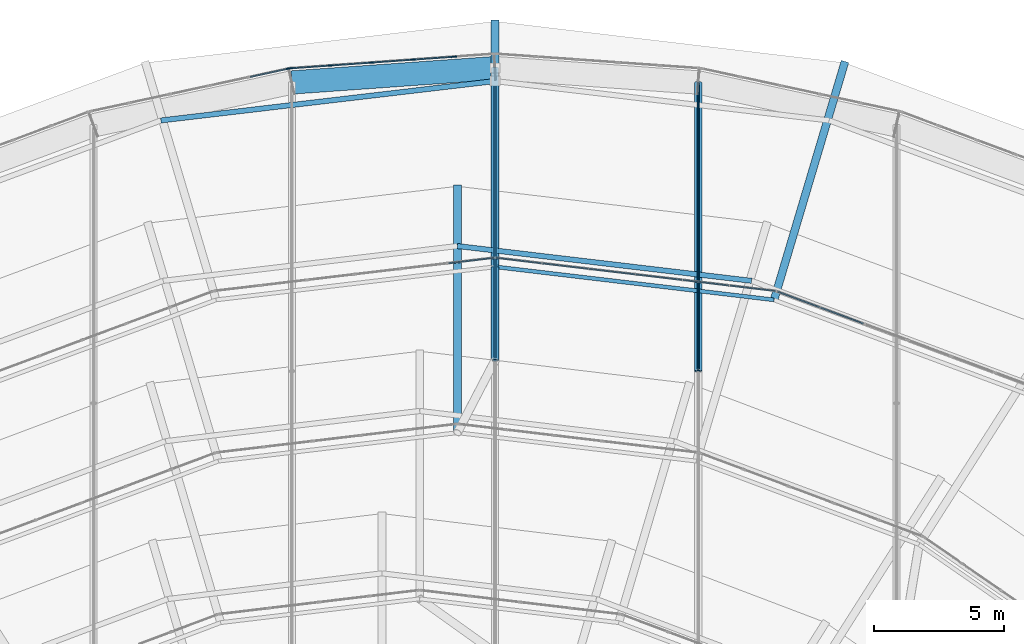
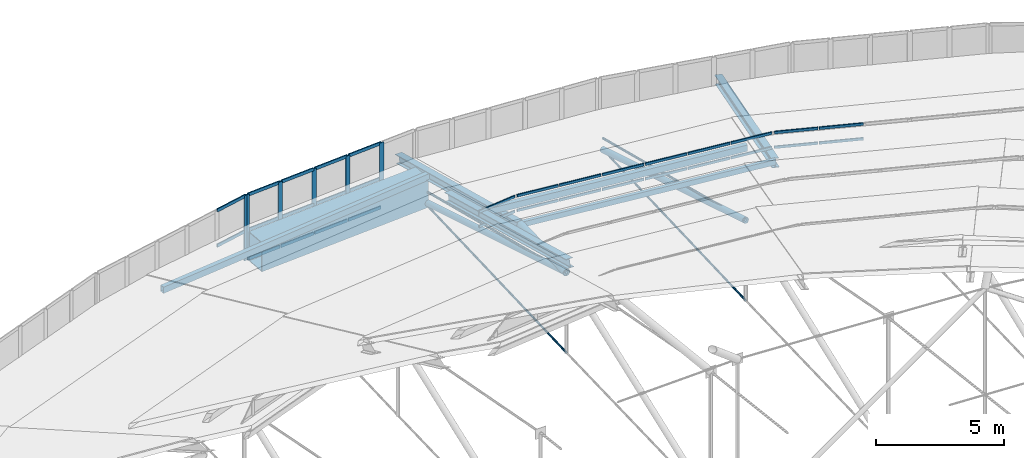
# One storey, part 115 of 173: 51 members, 1 beam, 5 elements without a shape of their own.
"""IFC4 building model written with IfcOpenShell, lengths in metres."""

from ifc_helpers import new_model, si_unit, direction, frame, origin, origin_2d, place, context, subcontext, project, spatial, rectangle, hollow_rectangle, circle, hollow_circle, i_section, extrude, material, material_profile, profile_set, type_object, element, aggregate, save


model = new_model("IFC4")

# Units and contexts
model_context = context("Model", 3, precision=1e-05, world=origin(), true_north=direction((0.0, 1.0)))
body_context = subcontext(model_context, "Body", "Model", "MODEL_VIEW")
ifc_project = project(units=[si_unit("LENGTHUNIT", "METRE"), si_unit("AREAUNIT", "SQUARE_METRE"), si_unit("VOLUMEUNIT", "CUBIC_METRE"), si_unit("PLANEANGLEUNIT", "RADIAN"), si_unit("MASSUNIT", "GRAM", prefix="KILO")], contexts=[model_context])

# Site, building, storey
site_placement = place(None, origin())
site = spatial("IfcSite", under=ifc_project, at=site_placement, CompositionType="ELEMENT")
building_placement = place(site_placement, origin())
building = spatial("IfcBuilding", under=site, at=building_placement, Name="Glasvene Arena", CompositionType="ELEMENT")
storey_placement = place(building_placement, frame((0.0, 0.0, 28.800048828125)))
storey = spatial("IfcBuildingStorey", under=building, at=storey_placement, Name="RF", CompositionType="ELEMENT", Elevation=28.800048828125)

# Beam
ifc_material_1 = material(Name="Steel S355J2", Category="steel")
ifc_material_profile_1 = material_profile(ifc_material_1, hollow_rectangle(XDim=0.89990234375, YDim=1.39990234375, WallThickness=0.034912109375, at=origin_2d()), Name="WBOX 900x1400x35")
ifc_profile_set_1 = profile_set([ifc_material_profile_1], Name="Steel S355J2")
beam_type = type_object("IfcBeamType", Name="BM-RING-BOX1400", PredefinedType="USERDEFINED", material=ifc_profile_set_1)
beam_placement = place(storey_placement, frame((92.0, 118.0, -0.699951171875), z_axis=(-0.997501506622, -0.070645200029, 0.0), x_axis=(0.070645200029, -0.997501506622, 0.0)))
element("IfcBeam", 1, at=beam_placement, inside=storey, type_object=beam_type, Name="Compression ring beam chord RB-11", ObjectType="RING BEAM", PredefinedType="USERDEFINED", context=body_context, shape_type="SweptSolid", body=[
    extrude(hollow_rectangle(XDim=0.89990234375, YDim=1.39990234375, WallThickness=0.034912109375, at=origin_2d()), origin(), (0.0, 0.0, 1.0), 7.84130859375),
])

# Curtain wall, members
ifc_material_2 = material(Name="Low-emissivity laminated double glazing", Category="glass")
curtain_wall_type_1 = type_object("IfcCurtainWallType", Name="CW-DRUM-793x310", PredefinedType="USERDEFINED", material=ifc_material_2)
curtain_wall_1_placement = place(storey_placement, frame((92.0, 118.550048828125, 0.0)))
curtain_wall_1 = element("IfcCurtainWall", 2, at=curtain_wall_1_placement, inside=storey, type_object=curtain_wall_type_1, Name="Crown compression-ring fascia curtain wall 11", ObjectType="CURTAIN WALL", PredefinedType="USERDEFINED")
ifc_material_3 = material(Name="Anodised architectural aluminium", Category="aluminium")
ifc_material_profile_2 = material_profile(ifc_material_3, rectangle(XDim=0.050048828125, YDim=0.199951171875, at=origin_2d()), Name="ALU MULLION 50x200")
ifc_profile_set_2 = profile_set([ifc_material_profile_2], Name="Anodised architectural aluminium")
member_type_1 = type_object("IfcMemberType", Name="CW-MUL-180", PredefinedType="MULLION", material=ifc_profile_set_2)
member_1_placement = place(storey_placement, frame((90.41845703125, 118.437744140625, -1.380126953125), z_axis=(0.0, 0.0, 1.0), x_axis=(0.07073966092, -0.997494812204, 0.0)))
member_1 = element("IfcMember", 3, at=member_1_placement, type_object=member_type_1, Name="CW-080 mullion 2", PredefinedType="MULLION", context=body_context, shape_type="SweptSolid", body=[
    extrude(rectangle(XDim=0.050048828125, YDim=0.199951171875, at=origin_2d()), origin(), (0.0, 0.0, 1.0), 3.10009765625),
])
member_2_placement = place(storey_placement, frame((88.8369140625, 118.32568359375, -1.380126953125), z_axis=(0.0, 0.0, 1.0), x_axis=(0.07073966092, -0.997494812204, 0.0)))
member_2 = element("IfcMember", 4, at=member_2_placement, type_object=member_type_1, Name="CW-080 mullion 3", PredefinedType="MULLION", context=body_context, shape_type="SweptSolid", body=[
    extrude(rectangle(XDim=0.050048828125, YDim=0.199951171875, at=origin_2d()), origin(), (0.0, 0.0, 1.0), 3.10009765625),
])
member_3_placement = place(storey_placement, frame((87.25537109375, 118.213623046875, -1.380126953125), z_axis=(0.0, 0.0, 1.0), x_axis=(0.07073966092, -0.997494812204, 0.0)))
member_3 = element("IfcMember", 5, at=member_3_placement, type_object=member_type_1, Name="CW-080 mullion 4", PredefinedType="MULLION", context=body_context, shape_type="SweptSolid", body=[
    extrude(rectangle(XDim=0.050048828125, YDim=0.199951171875, at=origin_2d()), origin(), (0.0, 0.0, 1.0), 3.10009765625),
])
member_4_placement = place(storey_placement, frame((85.673828125, 118.101318359375, -1.380126953125), z_axis=(0.0, 0.0, 1.0), x_axis=(0.07073966092, -0.997494812204, 0.0)))
member_4 = element("IfcMember", 6, at=member_4_placement, type_object=member_type_1, Name="CW-080 mullion 5", PredefinedType="MULLION", context=body_context, shape_type="SweptSolid", body=[
    extrude(rectangle(XDim=0.050048828125, YDim=0.199951171875, at=origin_2d()), origin(), (0.0, 0.0, 1.0), 3.10009765625),
])
member_5_placement = place(storey_placement, frame((84.1171875, 117.990966796875, -1.380126953125), z_axis=(0.0, 0.0, 1.0), x_axis=(0.07073966092, -0.997494812204, 0.0)))
member_5 = element("IfcMember", 7, at=member_5_placement, type_object=member_type_1, Name="CW-080 mullion 6", PredefinedType="MULLION", context=body_context, shape_type="SweptSolid", body=[
    extrude(rectangle(XDim=0.050048828125, YDim=0.199951171875, at=origin_2d()), origin(), (0.0, 0.0, 1.0), 3.10009765625),
])

# Curtain wall, member
curtain_wall_type_2 = type_object("IfcCurtainWallType", Name="CW-DRUM-789x310", PredefinedType="USERDEFINED", material=ifc_material_2)
curtain_wall_2_placement = place(storey_placement, frame((84.09228515625, 117.9892578125, 0.0)))
curtain_wall_2 = element("IfcCurtainWall", 8, at=curtain_wall_2_placement, inside=storey, type_object=curtain_wall_type_2, Name="Crown compression-ring fascia curtain wall 12", ObjectType="CURTAIN WALL", PredefinedType="USERDEFINED")
member_6_placement = place(storey_placement, frame((84.06787109375, 117.98388671875, -1.380126953125), z_axis=(0.0, 0.0, 1.0), x_axis=(0.211444690135, -0.977389964658, 0.0)))
member_6 = element("IfcMember", 9, at=member_6_placement, type_object=member_type_1, Name="CW-079 mullion 1", PredefinedType="MULLION", context=body_context, shape_type="SweptSolid", body=[
    extrude(rectangle(XDim=0.050048828125, YDim=0.199951171875, at=origin_2d()), origin(), (0.0, 0.0, 1.0), 3.10009765625),
])

# Curtain wall, members
curtain_wall_type_3 = type_object("IfcCurtainWallType", Name="CW-PET1-1077x75", PredefinedType="USERDEFINED", material=ifc_material_2)
curtain_wall_3_placement = place(storey_placement, frame((112.925048828125, 105.649169921875, 0.0)))
curtain_wall_3 = element("IfcCurtainWall", 10, at=curtain_wall_3_placement, inside=storey, type_object=curtain_wall_type_3, Name="Petal ring 1-2 clerestory curtain wall 05", ObjectType="CURTAIN WALL", PredefinedType="USERDEFINED")
ifc_material_profile_3 = material_profile(ifc_material_3, rectangle(XDim=0.050048828125, YDim=0.1201171875, at=origin_2d()), Name="ALU TRANSOM 50x120")
ifc_profile_set_3 = profile_set([ifc_material_profile_3], Name="Anodised architectural aluminium")
member_type_2 = type_object("IfcMemberType", Name="CW-TRN-120", PredefinedType="USERDEFINED", material=ifc_profile_set_3)
member_7_placement = place(storey_placement, frame((106.172607421875, 108.168701171875, 2.60498046875), z_axis=(-0.936868399673, 0.349682143802, 0.0), x_axis=(-0.349682143802, -0.936868399673, 0.0)))
member_7 = element("IfcMember", 11, at=member_7_placement, type_object=member_type_2, Name="CW-085 transom 5.1", ObjectType="TRANSOM", PredefinedType="USERDEFINED", context=body_context, shape_type="SweptSolid", body=[
    extrude(rectangle(XDim=0.050048828125, YDim=0.1201171875, at=origin_2d()), origin(), (0.0, 0.0, 1.0), 1.745361328125),
])
member_8_placement = place(storey_placement, frame((106.172607421875, 108.168701171875, 3.304931640625), z_axis=(-0.936868399673, 0.349682143802, 0.0), x_axis=(-0.349682143802, -0.936868399673, 0.0)))
member_8 = element("IfcMember", 12, at=member_8_placement, type_object=member_type_2, Name="CW-085 transom 5.2", ObjectType="TRANSOM", PredefinedType="USERDEFINED", context=body_context, shape_type="SweptSolid", body=[
    extrude(rectangle(XDim=0.050048828125, YDim=0.1201171875, at=origin_2d()), origin(), (0.0, 0.0, 1.0), 1.745361328125),
])
member_9_placement = place(storey_placement, frame((104.490478515625, 108.79638671875, 2.60498046875), z_axis=(-0.936893575356, 0.3496146857, 0.0), x_axis=(-0.3496146857, -0.936893575356, 0.0)))
member_9 = element("IfcMember", 13, at=member_9_placement, type_object=member_type_2, Name="CW-085 transom 6.1", ObjectType="TRANSOM", PredefinedType="USERDEFINED", context=body_context, shape_type="SweptSolid", body=[
    extrude(rectangle(XDim=0.050048828125, YDim=0.1201171875, at=origin_2d()), origin(), (0.0, 0.0, 1.0), 1.720703125),
])
member_10_placement = place(storey_placement, frame((104.490478515625, 108.79638671875, 3.304931640625), z_axis=(-0.936893575356, 0.3496146857, 0.0), x_axis=(-0.3496146857, -0.936893575356, 0.0)))
member_10 = element("IfcMember", 14, at=member_10_placement, type_object=member_type_2, Name="CW-085 transom 6.2", ObjectType="TRANSOM", PredefinedType="USERDEFINED", context=body_context, shape_type="SweptSolid", body=[
    extrude(rectangle(XDim=0.050048828125, YDim=0.1201171875, at=origin_2d()), origin(), (0.0, 0.0, 1.0), 1.720703125),
])
aggregate(curtain_wall_3, [member_7, member_8, member_9, member_10])

curtain_wall_type_4 = type_object("IfcCurtainWallType", Name="CW-PET1-1091x75", PredefinedType="USERDEFINED", material=ifc_material_2)
curtain_wall_4_placement = place(storey_placement, frame((102.83154296875, 109.415283203125, 0.0)))
curtain_wall_4 = element("IfcCurtainWall", 15, at=curtain_wall_4_placement, inside=storey, type_object=curtain_wall_type_4, Name="Petal ring 1-2 clerestory curtain wall 06", ObjectType="CURTAIN WALL", PredefinedType="USERDEFINED")
member_11_placement = place(storey_placement, frame((102.781982421875, 109.42138671875, 2.60498046875), z_axis=(-0.993052725692, 0.117670234107, 0.0), x_axis=(-0.117670234107, -0.993052725692, 0.0)))
member_11 = element("IfcMember", 16, at=member_11_placement, type_object=member_type_2, Name="CW-086 transom 1.1", ObjectType="TRANSOM", PredefinedType="USERDEFINED", context=body_context, shape_type="SweptSolid", body=[
    extrude(rectangle(XDim=0.050048828125, YDim=0.1201171875, at=origin_2d()), origin(), (0.0, 0.0, 1.0), 1.742919921875),
])
member_12_placement = place(storey_placement, frame((102.781982421875, 109.42138671875, 3.304931640625), z_axis=(-0.993052725692, 0.117670234107, 0.0), x_axis=(-0.117670234107, -0.993052725692, 0.0)))
member_12 = element("IfcMember", 17, at=member_12_placement, type_object=member_type_2, Name="CW-086 transom 1.2", ObjectType="TRANSOM", PredefinedType="USERDEFINED", context=body_context, shape_type="SweptSolid", body=[
    extrude(rectangle(XDim=0.050048828125, YDim=0.1201171875, at=origin_2d()), origin(), (0.0, 0.0, 1.0), 1.742919921875),
])
member_13_placement = place(storey_placement, frame((101.00146484375, 109.63232421875, 2.60498046875), z_axis=(-0.993037974268, 0.117794658886, 0.0), x_axis=(-0.117794658886, -0.993037974268, 0.0)))
member_13 = element("IfcMember", 18, at=member_13_placement, type_object=member_type_2, Name="CW-086 transom 2.1", ObjectType="TRANSOM", PredefinedType="USERDEFINED", context=body_context, shape_type="SweptSolid", body=[
    extrude(rectangle(XDim=0.050048828125, YDim=0.1201171875, at=origin_2d()), origin(), (0.0, 0.0, 1.0), 1.767822265625),
])
member_14_placement = place(storey_placement, frame((101.00146484375, 109.63232421875, 3.304931640625), z_axis=(-0.993037974268, 0.117794658886, 0.0), x_axis=(-0.117794658886, -0.993037974268, 0.0)))
member_14 = element("IfcMember", 19, at=member_14_placement, type_object=member_type_2, Name="CW-086 transom 2.2", ObjectType="TRANSOM", PredefinedType="USERDEFINED", context=body_context, shape_type="SweptSolid", body=[
    extrude(rectangle(XDim=0.050048828125, YDim=0.1201171875, at=origin_2d()), origin(), (0.0, 0.0, 1.0), 1.767822265625),
])
member_15_placement = place(storey_placement, frame((99.1962890625, 109.846435546875, 2.60498046875), z_axis=(-0.993037974268, 0.117794658886, 0.0), x_axis=(-0.117794658886, -0.993037974268, 0.0)))
member_15 = element("IfcMember", 20, at=member_15_placement, type_object=member_type_2, Name="CW-086 transom 3.1", ObjectType="TRANSOM", PredefinedType="USERDEFINED", context=body_context, shape_type="SweptSolid", body=[
    extrude(rectangle(XDim=0.050048828125, YDim=0.1201171875, at=origin_2d()), origin(), (0.0, 0.0, 1.0), 1.767822265625),
])
member_16_placement = place(storey_placement, frame((99.1962890625, 109.846435546875, 3.304931640625), z_axis=(-0.993037974268, 0.117794658886, 0.0), x_axis=(-0.117794658886, -0.993037974268, 0.0)))
member_16 = element("IfcMember", 21, at=member_16_placement, type_object=member_type_2, Name="CW-086 transom 3.2", ObjectType="TRANSOM", PredefinedType="USERDEFINED", context=body_context, shape_type="SweptSolid", body=[
    extrude(rectangle(XDim=0.050048828125, YDim=0.1201171875, at=origin_2d()), origin(), (0.0, 0.0, 1.0), 1.767822265625),
])
member_17_placement = place(storey_placement, frame((97.390869140625, 110.060546875, 2.60498046875), z_axis=(-0.993037974268, 0.117794658886, 0.0), x_axis=(-0.117794658886, -0.993037974268, 0.0)))
member_17 = element("IfcMember", 22, at=member_17_placement, type_object=member_type_2, Name="CW-086 transom 4.1", ObjectType="TRANSOM", PredefinedType="USERDEFINED", context=body_context, shape_type="SweptSolid", body=[
    extrude(rectangle(XDim=0.050048828125, YDim=0.1201171875, at=origin_2d()), origin(), (0.0, 0.0, 1.0), 1.767822265625),
])
member_18_placement = place(storey_placement, frame((97.390869140625, 110.060546875, 3.304931640625), z_axis=(-0.993037974268, 0.117794658886, 0.0), x_axis=(-0.117794658886, -0.993037974268, 0.0)))
member_18 = element("IfcMember", 23, at=member_18_placement, type_object=member_type_2, Name="CW-086 transom 4.2", ObjectType="TRANSOM", PredefinedType="USERDEFINED", context=body_context, shape_type="SweptSolid", body=[
    extrude(rectangle(XDim=0.050048828125, YDim=0.1201171875, at=origin_2d()), origin(), (0.0, 0.0, 1.0), 1.767822265625),
])
member_19_placement = place(storey_placement, frame((95.585693359375, 110.274658203125, 2.60498046875), z_axis=(-0.993037974268, 0.117794658886, 0.0), x_axis=(-0.117794658886, -0.993037974268, 0.0)))
member_19 = element("IfcMember", 24, at=member_19_placement, type_object=member_type_2, Name="CW-086 transom 5.1", ObjectType="TRANSOM", PredefinedType="USERDEFINED", context=body_context, shape_type="SweptSolid", body=[
    extrude(rectangle(XDim=0.050048828125, YDim=0.1201171875, at=origin_2d()), origin(), (0.0, 0.0, 1.0), 1.767822265625),
])
member_20_placement = place(storey_placement, frame((95.585693359375, 110.274658203125, 3.304931640625), z_axis=(-0.993037974268, 0.117794658886, 0.0), x_axis=(-0.117794658886, -0.993037974268, 0.0)))
member_20 = element("IfcMember", 25, at=member_20_placement, type_object=member_type_2, Name="CW-086 transom 5.2", ObjectType="TRANSOM", PredefinedType="USERDEFINED", context=body_context, shape_type="SweptSolid", body=[
    extrude(rectangle(XDim=0.050048828125, YDim=0.1201171875, at=origin_2d()), origin(), (0.0, 0.0, 1.0), 1.767822265625),
])
member_21_placement = place(storey_placement, frame((93.780517578125, 110.48876953125, 2.60498046875), z_axis=(-0.993038290956, 0.117791989096, 0.0), x_axis=(-0.117791989096, -0.993038290956, 0.0)))
member_21 = element("IfcMember", 26, at=member_21_placement, type_object=member_type_2, Name="CW-086 transom 6.1", ObjectType="TRANSOM", PredefinedType="USERDEFINED", context=body_context, shape_type="SweptSolid", body=[
    extrude(rectangle(XDim=0.050048828125, YDim=0.1201171875, at=origin_2d()), origin(), (0.0, 0.0, 1.0), 1.7431640625),
])
member_22_placement = place(storey_placement, frame((93.780517578125, 110.48876953125, 3.304931640625), z_axis=(-0.993038290956, 0.117791989096, 0.0), x_axis=(-0.117791989096, -0.993038290956, 0.0)))
member_22 = element("IfcMember", 27, at=member_22_placement, type_object=member_type_2, Name="CW-086 transom 6.2", ObjectType="TRANSOM", PredefinedType="USERDEFINED", context=body_context, shape_type="SweptSolid", body=[
    extrude(rectangle(XDim=0.050048828125, YDim=0.1201171875, at=origin_2d()), origin(), (0.0, 0.0, 1.0), 1.7431640625),
])
aggregate(curtain_wall_4, [member_11, member_12, member_13, member_14, member_15, member_16, member_17, member_18, member_19, member_20, member_21, member_22])

curtain_wall_5_placement = place(storey_placement, frame((92.0, 110.699951171875, 0.0)))
curtain_wall_5 = element("IfcCurtainWall", 28, at=curtain_wall_5_placement, inside=storey, type_object=curtain_wall_type_4, Name="Petal ring 1-2 clerestory curtain wall 07", ObjectType="CURTAIN WALL", PredefinedType="USERDEFINED")
member_23_placement = place(storey_placement, frame((91.950439453125, 110.694091796875, 2.60498046875), z_axis=(-0.993038290956, -0.117791989096, 0.0), x_axis=(0.117791989096, -0.993038290956, 0.0)))
member_23 = element("IfcMember", 29, at=member_23_placement, type_object=member_type_2, Name="CW-086 transom 1.1", ObjectType="TRANSOM", PredefinedType="USERDEFINED", context=body_context, shape_type="SweptSolid", body=[
    extrude(rectangle(XDim=0.050048828125, YDim=0.1201171875, at=origin_2d()), origin(), (0.0, 0.0, 1.0), 1.7431640625),
])
member_24_placement = place(storey_placement, frame((91.950439453125, 110.694091796875, 3.304931640625), z_axis=(-0.993038290956, -0.117791989096, 0.0), x_axis=(0.117791989096, -0.993038290956, 0.0)))
member_24 = element("IfcMember", 30, at=member_24_placement, type_object=member_type_2, Name="CW-086 transom 1.2", ObjectType="TRANSOM", PredefinedType="USERDEFINED", context=body_context, shape_type="SweptSolid", body=[
    extrude(rectangle(XDim=0.050048828125, YDim=0.1201171875, at=origin_2d()), origin(), (0.0, 0.0, 1.0), 1.7431640625),
])
aggregate(curtain_wall_5, [member_23, member_24])

# Member
ifc_material_profile_4 = material_profile(ifc_material_3, rectangle(XDim=0.050048828125, YDim=0.14990234375, at=origin_2d()), Name="ALU TRANSOM 50x150")
ifc_profile_set_4 = profile_set([ifc_material_profile_4], Name="Anodised architectural aluminium")
member_type_3 = type_object("IfcMemberType", Name="CW-TRN-150", PredefinedType="USERDEFINED", material=ifc_profile_set_4)
member_25_placement = place(storey_placement, frame((90.3935546875, 118.43603515625, -1.35498046875), z_axis=(-0.997494086071, -0.070749899315, 0.0), x_axis=(0.070749899315, -0.997494086071, 0.0)))
member_25 = element("IfcMember", 31, at=member_25_placement, type_object=member_type_3, Name="CW-080 transom 2.1", ObjectType="TRANSOM", PredefinedType="USERDEFINED", context=body_context, shape_type="SweptSolid", body=[
    extrude(rectangle(XDim=0.050048828125, YDim=0.14990234375, at=origin_2d()), origin(), (0.0, 0.0, 1.0), 1.53564453125),
])

member_26_placement = place(storey_placement, frame((90.3935546875, 118.43603515625, 0.02001953125), z_axis=(-0.997494086071, -0.070749899315, 0.0), x_axis=(0.070749899315, -0.997494086071, 0.0)))
member_26 = element("IfcMember", 32, at=member_26_placement, type_object=member_type_3, Name="CW-080 transom 2.2", ObjectType="TRANSOM", PredefinedType="USERDEFINED", context=body_context, shape_type="SweptSolid", body=[
    extrude(rectangle(XDim=0.050048828125, YDim=0.14990234375, at=origin_2d()), origin(), (0.0, 0.0, 1.0), 1.53564453125),
])

member_27_placement = place(storey_placement, frame((90.3935546875, 118.43603515625, 1.695068359375), z_axis=(-0.997494086071, -0.070749899315, 0.0), x_axis=(0.070749899315, -0.997494086071, 0.0)))
member_27 = element("IfcMember", 33, at=member_27_placement, type_object=member_type_3, Name="CW-080 transom 2.3", ObjectType="TRANSOM", PredefinedType="USERDEFINED", context=body_context, shape_type="SweptSolid", body=[
    extrude(rectangle(XDim=0.050048828125, YDim=0.14990234375, at=origin_2d()), origin(), (0.0, 0.0, 1.0), 1.53564453125),
])

member_28_placement = place(storey_placement, frame((88.81201171875, 118.323974609375, -1.35498046875), z_axis=(-0.997494086071, -0.070749899315, 0.0), x_axis=(0.070749899315, -0.997494086071, 0.0)))
member_28 = element("IfcMember", 34, at=member_28_placement, type_object=member_type_3, Name="CW-080 transom 3.1", ObjectType="TRANSOM", PredefinedType="USERDEFINED", context=body_context, shape_type="SweptSolid", body=[
    extrude(rectangle(XDim=0.050048828125, YDim=0.14990234375, at=origin_2d()), origin(), (0.0, 0.0, 1.0), 1.53564453125),
])

member_29_placement = place(storey_placement, frame((88.81201171875, 118.323974609375, 0.02001953125), z_axis=(-0.997494086071, -0.070749899315, 0.0), x_axis=(0.070749899315, -0.997494086071, 0.0)))
member_29 = element("IfcMember", 35, at=member_29_placement, type_object=member_type_3, Name="CW-080 transom 3.2", ObjectType="TRANSOM", PredefinedType="USERDEFINED", context=body_context, shape_type="SweptSolid", body=[
    extrude(rectangle(XDim=0.050048828125, YDim=0.14990234375, at=origin_2d()), origin(), (0.0, 0.0, 1.0), 1.53564453125),
])

member_30_placement = place(storey_placement, frame((88.81201171875, 118.323974609375, 1.695068359375), z_axis=(-0.997494086071, -0.070749899315, 0.0), x_axis=(0.070749899315, -0.997494086071, 0.0)))
member_30 = element("IfcMember", 36, at=member_30_placement, type_object=member_type_3, Name="CW-080 transom 3.3", ObjectType="TRANSOM", PredefinedType="USERDEFINED", context=body_context, shape_type="SweptSolid", body=[
    extrude(rectangle(XDim=0.050048828125, YDim=0.14990234375, at=origin_2d()), origin(), (0.0, 0.0, 1.0), 1.53564453125),
])

member_31_placement = place(storey_placement, frame((87.23046875, 118.211669921875, -1.35498046875), z_axis=(-0.997494086071, -0.070749899315, 0.0), x_axis=(0.070749899315, -0.997494086071, 0.0)))
member_31 = element("IfcMember", 37, at=member_31_placement, type_object=member_type_3, Name="CW-080 transom 4.1", ObjectType="TRANSOM", PredefinedType="USERDEFINED", context=body_context, shape_type="SweptSolid", body=[
    extrude(rectangle(XDim=0.050048828125, YDim=0.14990234375, at=origin_2d()), origin(), (0.0, 0.0, 1.0), 1.53564453125),
])

member_32_placement = place(storey_placement, frame((87.23046875, 118.211669921875, 0.02001953125), z_axis=(-0.997494086071, -0.070749899315, 0.0), x_axis=(0.070749899315, -0.997494086071, 0.0)))
member_32 = element("IfcMember", 38, at=member_32_placement, type_object=member_type_3, Name="CW-080 transom 4.2", ObjectType="TRANSOM", PredefinedType="USERDEFINED", context=body_context, shape_type="SweptSolid", body=[
    extrude(rectangle(XDim=0.050048828125, YDim=0.14990234375, at=origin_2d()), origin(), (0.0, 0.0, 1.0), 1.53564453125),
])

member_33_placement = place(storey_placement, frame((87.23046875, 118.211669921875, 1.695068359375), z_axis=(-0.997494086071, -0.070749899315, 0.0), x_axis=(0.070749899315, -0.997494086071, 0.0)))
member_33 = element("IfcMember", 39, at=member_33_placement, type_object=member_type_3, Name="CW-080 transom 4.3", ObjectType="TRANSOM", PredefinedType="USERDEFINED", context=body_context, shape_type="SweptSolid", body=[
    extrude(rectangle(XDim=0.050048828125, YDim=0.14990234375, at=origin_2d()), origin(), (0.0, 0.0, 1.0), 1.53564453125),
])

member_34_placement = place(storey_placement, frame((85.64892578125, 118.099609375, -1.35498046875), z_axis=(-0.997491409379, -0.070787627561, 0.0), x_axis=(0.070787627561, -0.997491409379, 0.0)))
member_34 = element("IfcMember", 40, at=member_34_placement, type_object=member_type_3, Name="CW-080 transom 5.1", ObjectType="TRANSOM", PredefinedType="USERDEFINED", context=body_context, shape_type="SweptSolid", body=[
    extrude(rectangle(XDim=0.050048828125, YDim=0.14990234375, at=origin_2d()), origin(), (0.0, 0.0, 1.0), 1.5107421875),
])

member_35_placement = place(storey_placement, frame((85.64892578125, 118.099609375, 0.02001953125), z_axis=(-0.997491409379, -0.070787627561, 0.0), x_axis=(0.070787627561, -0.997491409379, 0.0)))
member_35 = element("IfcMember", 41, at=member_35_placement, type_object=member_type_3, Name="CW-080 transom 5.2", ObjectType="TRANSOM", PredefinedType="USERDEFINED", context=body_context, shape_type="SweptSolid", body=[
    extrude(rectangle(XDim=0.050048828125, YDim=0.14990234375, at=origin_2d()), origin(), (0.0, 0.0, 1.0), 1.5107421875),
])

member_36_placement = place(storey_placement, frame((85.64892578125, 118.099609375, 1.695068359375), z_axis=(-0.997491409379, -0.070787627561, 0.0), x_axis=(0.070787627561, -0.997491409379, 0.0)))
member_36 = element("IfcMember", 42, at=member_36_placement, type_object=member_type_3, Name="CW-080 transom 5.3", ObjectType="TRANSOM", PredefinedType="USERDEFINED", context=body_context, shape_type="SweptSolid", body=[
    extrude(rectangle(XDim=0.050048828125, YDim=0.14990234375, at=origin_2d()), origin(), (0.0, 0.0, 1.0), 1.5107421875),
])

aggregate(curtain_wall_1, [member_1, member_2, member_3, member_4, member_5, member_25, member_26, member_27, member_28, member_29, member_30, member_31, member_32, member_33, member_34, member_35, member_36])

member_37_placement = place(storey_placement, frame((84.043212890625, 117.978515625, 0.02001953125), z_axis=(-0.977386956686, -0.211458593819, 0.0), x_axis=(0.211458593819, -0.977386956686, 0.0)))
member_37 = element("IfcMember", 43, at=member_37_placement, type_object=member_type_3, Name="CW-079 transom 1.2", ObjectType="TRANSOM", PredefinedType="USERDEFINED", context=body_context, shape_type="SweptSolid", body=[
    extrude(rectangle(XDim=0.050048828125, YDim=0.14990234375, at=origin_2d()), origin(), (0.0, 0.0, 1.0), 1.503173828125),
])

member_38_placement = place(storey_placement, frame((84.043212890625, 117.978515625, 1.695068359375), z_axis=(-0.977386956686, -0.211458593819, 0.0), x_axis=(0.211458593819, -0.977386956686, 0.0)))
member_38 = element("IfcMember", 44, at=member_38_placement, type_object=member_type_3, Name="CW-079 transom 1.3", ObjectType="TRANSOM", PredefinedType="USERDEFINED", context=body_context, shape_type="SweptSolid", body=[
    extrude(rectangle(XDim=0.050048828125, YDim=0.14990234375, at=origin_2d()), origin(), (0.0, 0.0, 1.0), 1.503173828125),
])

aggregate(curtain_wall_2, [member_6, member_37, member_38])

# Members
ifc_material_4 = material(Name="High-strength steel spiral strand S460", Category="steel")
ifc_material_profile_5 = material_profile(ifc_material_4, circle(Radius=0.052490234375, at=origin_2d()), Name="LCSS D105")
ifc_profile_set_5 = profile_set([ifc_material_profile_5], Name="High-strength steel spiral strand S460")
member_type_4 = type_object("IfcMemberType", Name="MB-CABLE-105", PredefinedType="USERDEFINED", material=ifc_profile_set_5)
member_39_placement = place(storey_placement, frame((99.82177734375, 106.33447265625, 2.06103515625), z_axis=(0.0, 0.9688326504, -0.247716159179), x_axis=(-1.0, 0.0, 0.0)))
element("IfcMember", 45, at=member_39_placement, inside=storey, type_object=member_type_4, Name="Upper lens roof cable NS04-08", ObjectType="ROOF CABLE", PredefinedType="USERDEFINED", context=body_context, shape_type="SweptSolid", body=[
    extrude(circle(Radius=0.052490234375, at=origin_2d()), origin(), (0.0, 0.0, 1.0), 11.468994140625),
])
member_40_placement = place(storey_placement, frame((92.0, 106.75, 2.06103515625), z_axis=(0.0, 0.969560492268, -0.244851897754), x_axis=(-1.0, 0.0, 0.0)))
element("IfcMember", 46, at=member_40_placement, inside=storey, type_object=member_type_4, Name="Upper lens roof cable NS05-08", ObjectType="ROOF CABLE", PredefinedType="USERDEFINED", context=body_context, shape_type="SweptSolid", body=[
    extrude(circle(Radius=0.052490234375, at=origin_2d()), origin(), (0.0, 0.0, 1.0), 11.603271484375),
])
ifc_material_profile_6 = material_profile(ifc_material_4, circle(Radius=0.044921875, at=origin_2d()), Name="LCSS D90")
ifc_profile_set_6 = profile_set([ifc_material_profile_6], Name="High-strength steel spiral strand S460")
member_type_5 = type_object("IfcMemberType", Name="MB-CABLE-90", PredefinedType="USERDEFINED", material=ifc_profile_set_6)
member_41_placement = place(storey_placement, frame((99.82177734375, 106.33447265625, -1.753173828125), z_axis=(0.0, 0.99924122713, 0.0389482991), x_axis=(-1.0, 0.0, 0.0)))
element("IfcMember", 47, at=member_41_placement, inside=storey, type_object=member_type_5, Name="Lower stabilization roof cable NS04-08", ObjectType="ROOF CABLE", PredefinedType="USERDEFINED", context=body_context, shape_type="SweptSolid", body=[
    extrude(circle(Radius=0.044921875, at=origin_2d()), origin(), (0.0, 0.0, 1.0), 11.1201171875),
])
member_42_placement = place(storey_placement, frame((92.0, 106.75, -1.753173828125), z_axis=(0.0, 0.999259764573, 0.03846976611), x_axis=(-1.0, 0.0, 0.0)))
element("IfcMember", 48, at=member_42_placement, inside=storey, type_object=member_type_5, Name="Lower stabilization roof cable NS05-08", ObjectType="ROOF CABLE", PredefinedType="USERDEFINED", context=body_context, shape_type="SweptSolid", body=[
    extrude(circle(Radius=0.044921875, at=origin_2d()), origin(), (0.0, 0.0, 1.0), 11.25830078125),
])
ifc_material_profile_7 = material_profile(ifc_material_1, i_section(OverallWidth=0.300048828125, OverallDepth=0.39990234375, WebThickness=0.013427734375, FlangeThickness=0.02392578125, FilletRadius=0.027099609375, at=origin_2d()), Name="HEB 400")
ifc_profile_set_7 = profile_set([ifc_material_profile_7], Name="Steel S355J2")
member_type_6 = type_object("IfcMemberType", Name="MB-CHORD-HEB400", PredefinedType="CHORD", material=ifc_profile_set_7)
member_43_placement = place(storey_placement, frame((105.45849609375, 118.205322265625, -0.400146484375), z_axis=(-0.275988649675, -0.927020360618, 0.253896664511), x_axis=(0.958426710374, -0.28533881762, 0.0)))
element("IfcMember", 49, at=member_43_placement, inside=storey, type_object=member_type_6, Name="Petal ring 1 radial rib 06", PredefinedType="CHORD", context=body_context, shape_type="SweptSolid", body=[
    extrude(i_section(OverallWidth=0.300048828125, OverallDepth=0.39990234375, WebThickness=0.013427734375, FlangeThickness=0.02392578125, FilletRadius=0.027099609375, at=origin_2d()), origin(), (0.0, 0.0, 1.0), 9.846435546875),
])
member_44_placement = place(storey_placement, frame((92.0, 119.800048828125, -0.400146484375), z_axis=(0.0, -0.96674210623, 0.255753201431), x_axis=(1.0, 0.0, 0.0)))
element("IfcMember", 50, at=member_44_placement, inside=storey, type_object=member_type_6, Name="Petal ring 1 radial rib 07", PredefinedType="CHORD", context=body_context, shape_type="SweptSolid", body=[
    extrude(i_section(OverallWidth=0.300048828125, OverallDepth=0.39990234375, WebThickness=0.013427734375, FlangeThickness=0.02392578125, FilletRadius=0.027099609375, at=origin_2d()), origin(), (0.0, 0.0, 1.0), 9.775146484375),
])
member_45_placement = place(storey_placement, frame((90.550048828125, 113.449951171875, 2.14990234375), z_axis=(0.0, -0.965710250787, 0.259622247747), x_axis=(1.0, 0.0, 0.0)))
element("IfcMember", 51, at=member_45_placement, inside=storey, type_object=member_type_6, Name="Petal ring 2 radial rib 07", PredefinedType="CHORD", context=body_context, shape_type="SweptSolid", body=[
    extrude(i_section(OverallWidth=0.300048828125, OverallDepth=0.39990234375, WebThickness=0.013427734375, FlangeThickness=0.02392578125, FilletRadius=0.027099609375, at=origin_2d()), origin(), (0.0, 0.0, 1.0), 9.822265625),
])
ifc_material_profile_8 = material_profile(ifc_material_1, hollow_circle(Radius=0.161865234375, WallThickness=0.01611328125, at=origin_2d()), Name="CHS 323.9x16.0")
ifc_profile_set_8 = profile_set([ifc_material_profile_8], Name="Steel S355J2")
member_type_7 = type_object("IfcMemberType", Name="MB-POST-CHS324", PredefinedType="BRACE", material=ifc_profile_set_8)
member_46_placement = place(storey_placement, frame((92.0, 106.75, 2.06103515625), z_axis=(0.0, 0.999437056126, 0.033549528196), x_axis=(-1.0, 0.0, 0.0)))
element("IfcMember", 52, at=member_46_placement, inside=storey, type_object=member_type_7, Name="Petal ring 1 ridge support post 07", PredefinedType="BRACE", context=body_context, shape_type="SweptSolid", body=[
    extrude(hollow_circle(Radius=0.161865234375, WallThickness=0.01611328125, at=origin_2d()), origin(), (0.0, 0.0, 1.0), 3.60205078125),
])
ifc_material_profile_9 = material_profile(ifc_material_1, hollow_rectangle(XDim=0.14990234375, YDim=0.25, WallThickness=0.010009765625, at=origin_2d()), Name="RHS 250x150x10.0")
ifc_profile_set_9 = profile_set([ifc_material_profile_9], Name="Steel S355J2")
member_type_8 = type_object("IfcMemberType", Name="MB-PURLIN-RHS250", PredefinedType="PURLIN", material=ifc_profile_set_9)
member_47_placement = place(storey_placement, frame((102.740966796875, 109.077392578125, 2.181884765625), z_axis=(-0.993053039343, 0.117667587092, 0.0), x_axis=(-0.117667587092, -0.993053039343, 0.0)))
element("IfcMember", 53, at=member_47_placement, inside=storey, type_object=member_type_8, Name="Petal ring 1 ridge purlin 06", PredefinedType="PURLIN", context=body_context, shape_type="SweptSolid", body=[
    extrude(hollow_rectangle(XDim=0.14990234375, YDim=0.25, WallThickness=0.010009765625, at=origin_2d()), origin(), (0.0, 0.0, 1.0), 10.816162109375),
])
ifc_material_profile_10 = material_profile(ifc_material_1, hollow_rectangle(XDim=0.199951171875, YDim=0.300048828125, WallThickness=0.012451171875, at=origin_2d()), Name="RHS 300x200x12.5")
ifc_profile_set_10 = profile_set([ifc_material_profile_10], Name="Steel S355J2")
member_type_9 = type_object("IfcMemberType", Name="MB-PURLIN-RHS300", PredefinedType="PURLIN", material=ifc_profile_set_10)
member_48_placement = place(storey_placement, frame((92.0, 117.5, 0.16748046875), z_axis=(-0.993123429608, -0.117072001619, 0.0), x_axis=(0.117072001619, -0.993123429608, 0.0)))
element("IfcMember", 54, at=member_48_placement, inside=storey, type_object=member_type_9, Name="Petal ring 1 outer purlin 07", PredefinedType="PURLIN", context=body_context, shape_type="SweptSolid", body=[
    extrude(hollow_rectangle(XDim=0.199951171875, YDim=0.300048828125, WallThickness=0.012451171875, at=origin_2d()), origin(), (0.0, 0.0, 1.0), 12.952392578125),
])
member_49_placement = place(storey_placement, frame((101.873291015625, 109.810791015625, 2.728515625), z_axis=(-0.993079536053, 0.117443752808, 0.0), x_axis=(-0.117443752808, -0.993079536053, 0.0)))
element("IfcMember", 55, at=member_49_placement, inside=storey, type_object=member_type_9, Name="Petal ring 2 outer purlin 06", PredefinedType="PURLIN", context=body_context, shape_type="SweptSolid", body=[
    extrude(hollow_rectangle(XDim=0.199951171875, YDim=0.300048828125, WallThickness=0.012451171875, at=origin_2d()), origin(), (0.0, 0.0, 1.0), 11.402099609375),
])
ifc_material_profile_11 = material_profile(ifc_material_1, hollow_circle(Radius=0.136474609375, WallThickness=0.012451171875, at=origin_2d()), Name="CHS 273.0x12.5")
ifc_profile_set_11 = profile_set([ifc_material_profile_11], Name="Steel S355J2")
member_type_10 = type_object("IfcMemberType", Name="MB-WEB-CHS273", PredefinedType="BRACE", material=ifc_profile_set_11)
member_50_placement = place(storey_placement, frame((99.82177734375, 106.33447265625, 2.06103515625), z_axis=(0.0, 0.956690171367, -0.291108083037), x_axis=(-1.0, 0.0, 0.0)))
element("IfcMember", 56, at=member_50_placement, inside=storey, type_object=member_type_10, Name="Cable-truss diagonal web strut NS04-08", PredefinedType="BRACE", context=body_context, shape_type="SweptSolid", body=[
    extrude(hollow_circle(Radius=0.136474609375, WallThickness=0.012451171875, at=origin_2d()), origin(), (0.0, 0.0, 1.0), 11.614501953125),
])
member_51_placement = place(storey_placement, frame((92.0, 106.75, 2.06103515625), z_axis=(0.0, 0.957683163939, -0.287824525551), x_axis=(-1.0, 0.0, 0.0)))
element("IfcMember", 57, at=member_51_placement, inside=storey, type_object=member_type_10, Name="Cable-truss diagonal web strut NS05-08", PredefinedType="BRACE", context=body_context, shape_type="SweptSolid", body=[
    extrude(hollow_circle(Radius=0.136474609375, WallThickness=0.012451171875, at=origin_2d()), origin(), (0.0, 0.0, 1.0), 11.7470703125),
])

save(model, "model.ifc")
